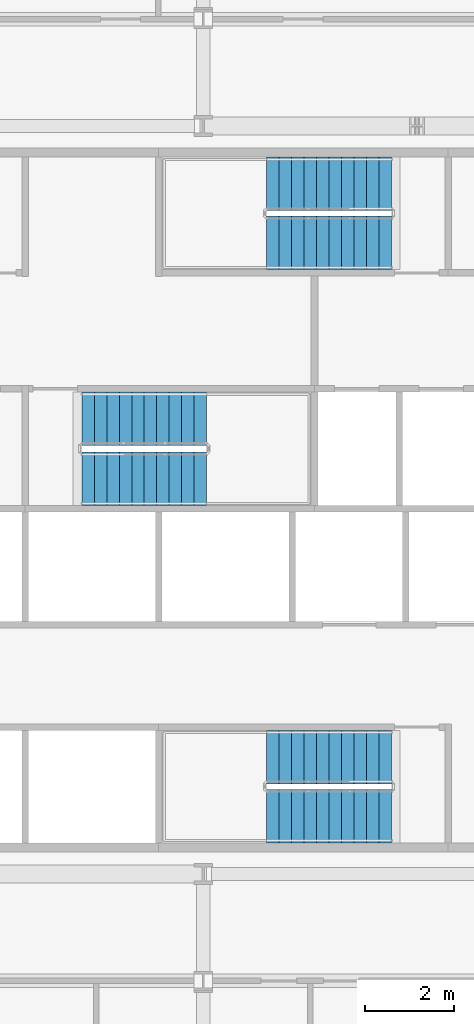
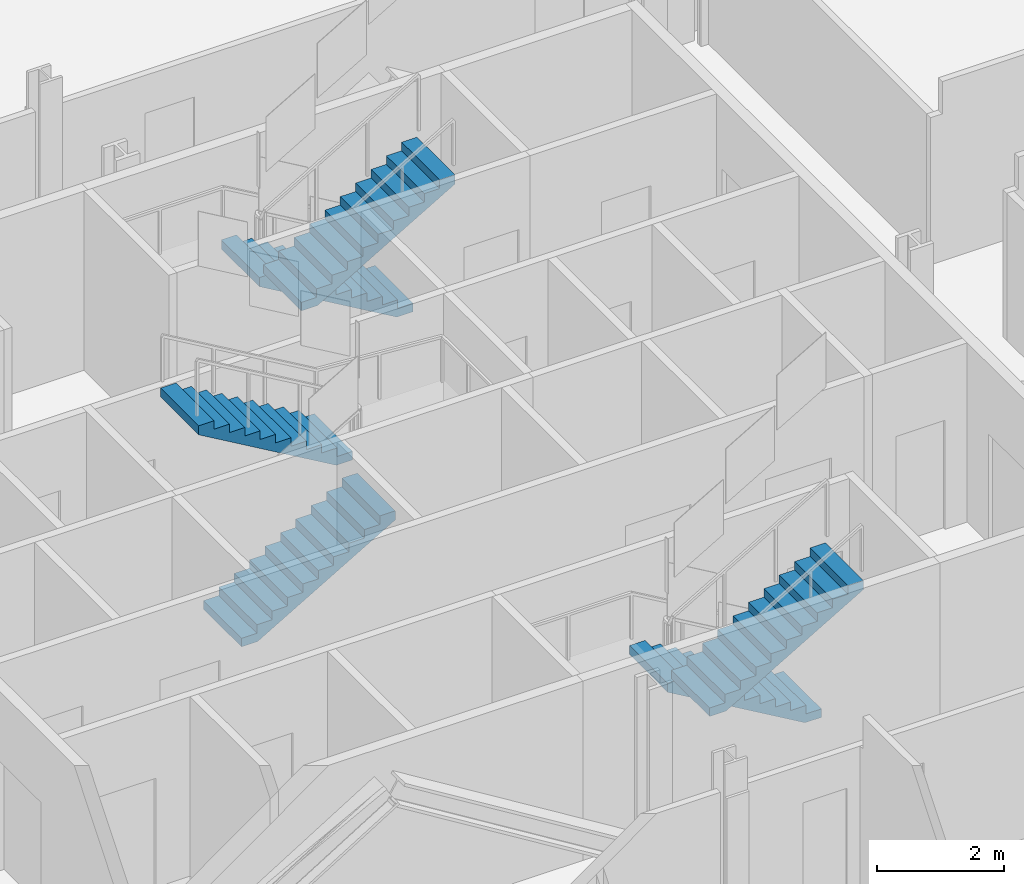
# One storey, part 13 of 21: 6 stair flights, 3 elements without a shape of their own.
"""IFC4 building model written with IfcOpenShell, lengths in metres."""

from ifc_helpers import new_model, si_unit, direction, frame, origin, place, context, subcontext, project, spatial, polyline, outline, extrude, material, type_object, element, aggregate, save


model = new_model("IFC4")

# Units and contexts
model_context = context("Model", 3, precision=1e-05, world=origin(), true_north=direction((0.0, 1.0)))
body_context = subcontext(model_context, "Body", "Model", "MODEL_VIEW")
ifc_project = project(units=[si_unit("LENGTHUNIT", "METRE"), si_unit("AREAUNIT", "SQUARE_METRE"), si_unit("VOLUMEUNIT", "CUBIC_METRE"), si_unit("PLANEANGLEUNIT", "RADIAN"), si_unit("MASSUNIT", "GRAM", prefix="KILO")], contexts=[model_context])

# Site, building, storey
site_placement = place(None, origin())
site = spatial("IfcSite", under=ifc_project, at=site_placement, CompositionType="ELEMENT")
building_placement = place(site_placement, origin())
building = spatial("IfcBuilding", under=site, at=building_placement, Name="Cairn Pilgrim Tower", CompositionType="ELEMENT")
storey_placement = place(building_placement, frame((0.0, 0.0, 108.60009765625)))
storey = spatial("IfcBuildingStorey", under=building, at=storey_placement, Name="L26", CompositionType="ELEMENT", Elevation=108.60009765625)

# Stair, stair flights
ifc_material = material(Name="Concrete C32/40", Category="concrete")
stair_type = type_object("IfcStairType", Name="EXIT STAIR 1200", PredefinedType="HALF_TURN_STAIR", material=ifc_material)
stair_1_placement = place(storey_placement, origin())
stair_1 = element("IfcStair", 1, at=stair_1_placement, inside=storey, type_object=stair_type, Name="L26 Exit Stair A", PredefinedType="HALF_TURN_STAIR")
stair_flight_type = type_object("IfcStairFlightType", Name="STAIR FLIGHT 1200", PredefinedType="STRAIGHT", material=ifc_material)
stair_flight_1_placement = place(storey_placement, frame((11.425048828125, -3.375, 0.0), z_axis=(0.0, 0.0, 1.0), x_axis=(-1.0, 0.0, 0.0)))
stair_flight_1 = element("IfcStairFlight", 2, at=stair_flight_1_placement, type_object=stair_flight_type, Name="ST-A flight 1", NumberOfRisers=11, NumberOfTreads=10, PredefinedType="STRAIGHT", RiserHeight=0.163636364, TreadLength=0.28, context=body_context, shape_type="SweptSolid", body=[
    extrude(outline(polyline([(0.0, 0.0), (0.0, 0.16357421875), (0.280029296875, 0.16357421875), (0.280029296875, 0.327392578125), (0.56005859375, 0.327392578125), (0.56005859375, 0.490966796875), (0.840087890625, 0.490966796875), (0.840087890625, 0.654541015625), (1.1201171875, 0.654541015625), (1.1201171875, 0.818115234375), (1.39990234375, 0.818115234375), (1.39990234375, 0.98193359375), (1.679931640625, 0.98193359375), (1.679931640625, 1.1455078125), (1.9599609375, 1.1455078125), (1.9599609375, 1.30908203125), (2.239990234375, 1.30908203125), (2.239990234375, 1.47265625), (2.52001953125, 1.47265625), (2.52001953125, 1.636474609375), (2.800048828125, 1.636474609375), (2.800048828125, 1.800048828125), (2.800048828125, 1.462646484375), (0.297119140625, 0.0), (0.0, 0.0)])), frame((0.0, 0.60009765625, 0.0), z_axis=(0.0, -1.0, 0.0), x_axis=(1.0, 0.0, 0.0)), (0.0, 0.0, 1.0), 1.199951171875),
])
stair_flight_2_placement = place(storey_placement, frame((8.625, -4.699951171875, 1.7998046875), z_axis=(0.0, 0.0, 1.0), x_axis=(1.0, 0.0, 0.0)))
stair_flight_2 = element("IfcStairFlight", 3, at=stair_flight_2_placement, type_object=stair_flight_type, Name="ST-A flight 2", NumberOfRisers=11, NumberOfTreads=10, PredefinedType="STRAIGHT", RiserHeight=0.163636364, TreadLength=0.28, context=body_context, shape_type="SweptSolid", body=[
    extrude(outline(polyline([(0.0, 0.0), (0.0, 0.16357421875), (0.280029296875, 0.16357421875), (0.280029296875, 0.327392578125), (0.56005859375, 0.327392578125), (0.56005859375, 0.490966796875), (0.840087890625, 0.490966796875), (0.840087890625, 0.654541015625), (1.1201171875, 0.654541015625), (1.1201171875, 0.818115234375), (1.39990234375, 0.818115234375), (1.39990234375, 0.98193359375), (1.679931640625, 0.98193359375), (1.679931640625, 1.1455078125), (1.9599609375, 1.1455078125), (1.9599609375, 1.30908203125), (2.239990234375, 1.30908203125), (2.239990234375, 1.47265625), (2.52001953125, 1.47265625), (2.52001953125, 1.636474609375), (2.800048828125, 1.636474609375), (2.800048828125, 1.800048828125), (2.800048828125, 1.462646484375), (0.297119140625, 0.0), (0.0, 0.0)])), frame((0.0, 0.60009765625, 0.0), z_axis=(0.0, -1.0, 0.0), x_axis=(1.0, 0.0, 0.0)), (0.0, 0.0, 1.0), 1.199951171875),
])
aggregate(stair_1, [stair_flight_1, stair_flight_2])

stair_2_placement = place(storey_placement, origin())
stair_2 = element("IfcStair", 4, at=stair_2_placement, inside=storey, type_object=stair_type, Name="L26 Exit Stair B", PredefinedType="HALF_TURN_STAIR")
stair_flight_3_placement = place(storey_placement, frame((4.47509765625, 2.875, 0.0), z_axis=(0.0, 0.0, 1.0), x_axis=(1.0, 0.0, 0.0)))
stair_flight_3 = element("IfcStairFlight", 5, at=stair_flight_3_placement, type_object=stair_flight_type, Name="ST-B flight 1", NumberOfRisers=11, NumberOfTreads=10, PredefinedType="STRAIGHT", RiserHeight=0.163636364, TreadLength=0.28, context=body_context, shape_type="SweptSolid", body=[
    extrude(outline(polyline([(0.0, 0.0), (0.0, 0.16357421875), (0.280029296875, 0.16357421875), (0.280029296875, 0.327392578125), (0.56005859375, 0.327392578125), (0.56005859375, 0.490966796875), (0.840087890625, 0.490966796875), (0.840087890625, 0.654541015625), (1.1201171875, 0.654541015625), (1.1201171875, 0.818115234375), (1.39990234375, 0.818115234375), (1.39990234375, 0.98193359375), (1.679931640625, 0.98193359375), (1.679931640625, 1.1455078125), (1.9599609375, 1.1455078125), (1.9599609375, 1.30908203125), (2.239990234375, 1.30908203125), (2.239990234375, 1.47265625), (2.52001953125, 1.47265625), (2.52001953125, 1.636474609375), (2.800048828125, 1.636474609375), (2.800048828125, 1.800048828125), (2.800048828125, 1.462646484375), (0.297119140625, 0.0), (0.0, 0.0)])), frame((0.0, 0.60009765625, 0.0), z_axis=(0.0, -1.0, 0.0), x_axis=(1.0, 0.0, 0.0)), (0.0, 0.0, 1.0), 1.199951171875),
])
stair_flight_4_placement = place(storey_placement, frame((7.27490234375, 4.22509765625, 1.7998046875), z_axis=(0.0, 0.0, 1.0), x_axis=(-1.0, 0.0, 0.0)))
stair_flight_4 = element("IfcStairFlight", 6, at=stair_flight_4_placement, type_object=stair_flight_type, Name="ST-B flight 2", NumberOfRisers=11, NumberOfTreads=10, PredefinedType="STRAIGHT", RiserHeight=0.163636364, TreadLength=0.28, context=body_context, shape_type="SweptSolid", body=[
    extrude(outline(polyline([(0.0, 0.0), (0.0, 0.16357421875), (0.280029296875, 0.16357421875), (0.280029296875, 0.327392578125), (0.56005859375, 0.327392578125), (0.56005859375, 0.490966796875), (0.840087890625, 0.490966796875), (0.840087890625, 0.654541015625), (1.1201171875, 0.654541015625), (1.1201171875, 0.818115234375), (1.39990234375, 0.818115234375), (1.39990234375, 0.98193359375), (1.679931640625, 0.98193359375), (1.679931640625, 1.1455078125), (1.9599609375, 1.1455078125), (1.9599609375, 1.30908203125), (2.239990234375, 1.30908203125), (2.239990234375, 1.47265625), (2.52001953125, 1.47265625), (2.52001953125, 1.636474609375), (2.800048828125, 1.636474609375), (2.800048828125, 1.800048828125), (2.800048828125, 1.462646484375), (0.297119140625, 0.0), (0.0, 0.0)])), frame((0.0, 0.60009765625, 0.0), z_axis=(0.0, -1.0, 0.0), x_axis=(1.0, 0.0, 0.0)), (0.0, 0.0, 1.0), 1.199951171875),
])
aggregate(stair_2, [stair_flight_3, stair_flight_4])

stair_3_placement = place(storey_placement, origin())
stair_3 = element("IfcStair", 7, at=stair_3_placement, inside=storey, type_object=stair_type, Name="L26 Exit Stair C", PredefinedType="HALF_TURN_STAIR")
stair_flight_5_placement = place(storey_placement, frame((11.425048828125, 9.5, 0.0), z_axis=(0.0, 0.0, 1.0), x_axis=(-1.0, 0.0, 0.0)))
stair_flight_5 = element("IfcStairFlight", 8, at=stair_flight_5_placement, type_object=stair_flight_type, Name="ST-C flight 1", NumberOfRisers=11, NumberOfTreads=10, PredefinedType="STRAIGHT", RiserHeight=0.163636364, TreadLength=0.28, context=body_context, shape_type="SweptSolid", body=[
    extrude(outline(polyline([(0.0, 0.0), (0.0, 0.16357421875), (0.280029296875, 0.16357421875), (0.280029296875, 0.327392578125), (0.56005859375, 0.327392578125), (0.56005859375, 0.490966796875), (0.840087890625, 0.490966796875), (0.840087890625, 0.654541015625), (1.1201171875, 0.654541015625), (1.1201171875, 0.818115234375), (1.39990234375, 0.818115234375), (1.39990234375, 0.98193359375), (1.679931640625, 0.98193359375), (1.679931640625, 1.1455078125), (1.9599609375, 1.1455078125), (1.9599609375, 1.30908203125), (2.239990234375, 1.30908203125), (2.239990234375, 1.47265625), (2.52001953125, 1.47265625), (2.52001953125, 1.636474609375), (2.800048828125, 1.636474609375), (2.800048828125, 1.800048828125), (2.800048828125, 1.462646484375), (0.297119140625, 0.0), (0.0, 0.0)])), frame((0.0, 0.60009765625, 0.0), z_axis=(0.0, -1.0, 0.0), x_axis=(1.0, 0.0, 0.0)), (0.0, 0.0, 1.0), 1.199951171875),
])
stair_flight_6_placement = place(storey_placement, frame((8.625, 8.175048828125, 1.7998046875), z_axis=(0.0, 0.0, 1.0), x_axis=(1.0, 0.0, 0.0)))
stair_flight_6 = element("IfcStairFlight", 9, at=stair_flight_6_placement, type_object=stair_flight_type, Name="ST-C flight 2", NumberOfRisers=11, NumberOfTreads=10, PredefinedType="STRAIGHT", RiserHeight=0.163636364, TreadLength=0.28, context=body_context, shape_type="SweptSolid", body=[
    extrude(outline(polyline([(0.0, 0.0), (0.0, 0.16357421875), (0.280029296875, 0.16357421875), (0.280029296875, 0.327392578125), (0.56005859375, 0.327392578125), (0.56005859375, 0.490966796875), (0.840087890625, 0.490966796875), (0.840087890625, 0.654541015625), (1.1201171875, 0.654541015625), (1.1201171875, 0.818115234375), (1.39990234375, 0.818115234375), (1.39990234375, 0.98193359375), (1.679931640625, 0.98193359375), (1.679931640625, 1.1455078125), (1.9599609375, 1.1455078125), (1.9599609375, 1.30908203125), (2.239990234375, 1.30908203125), (2.239990234375, 1.47265625), (2.52001953125, 1.47265625), (2.52001953125, 1.636474609375), (2.800048828125, 1.636474609375), (2.800048828125, 1.800048828125), (2.800048828125, 1.462646484375), (0.297119140625, 0.0), (0.0, 0.0)])), frame((0.0, 0.60009765625, 0.0), z_axis=(0.0, -1.0, 0.0), x_axis=(1.0, 0.0, 0.0)), (0.0, 0.0, 1.0), 1.199951171875),
])
aggregate(stair_3, [stair_flight_5, stair_flight_6])

save(model, "model.ifc")
